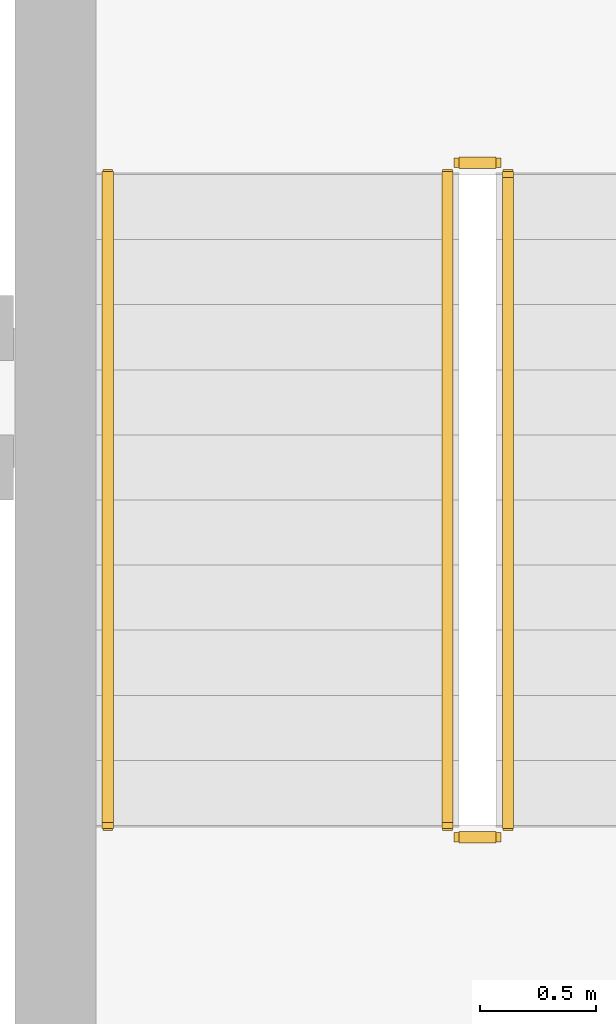
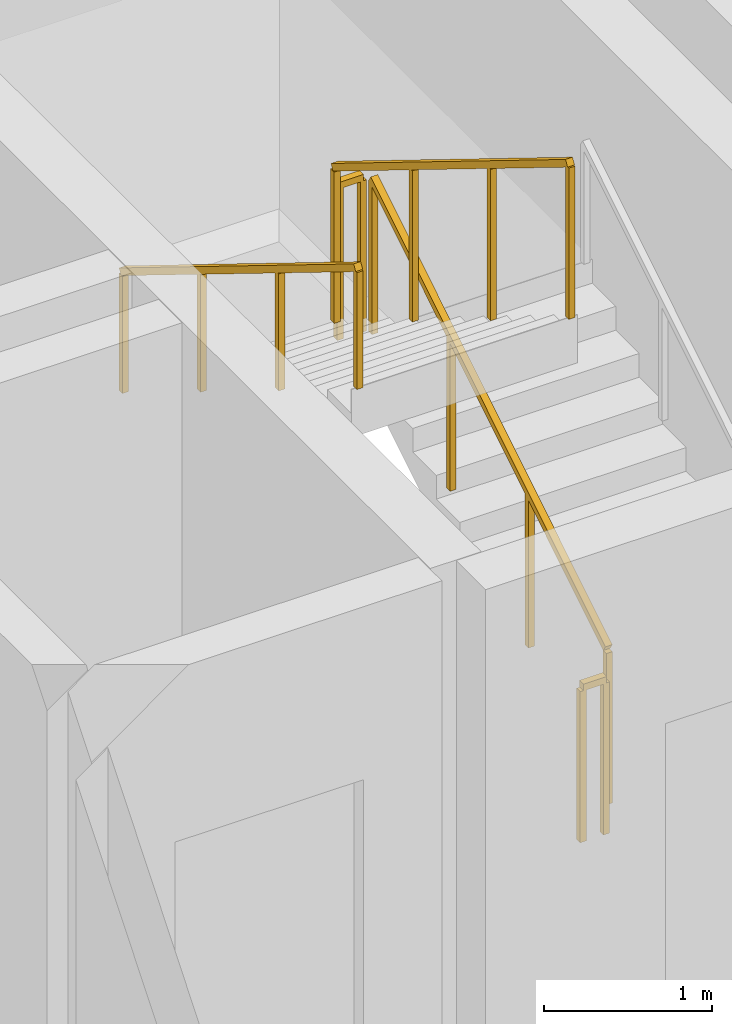
# One storey, part 15 of 16: 5 railings.
"""IFC4 building model written with IfcOpenShell, lengths in metres."""

from ifc_helpers import new_model, si_unit, direction, frame, origin, origin_2d, place, context, subcontext, project, spatial, rectangle, extrude, material, type_object, element, save


model = new_model("IFC4")

# Units and contexts
model_context = context("Model", 3, precision=1e-05, world=origin(), true_north=direction((0.0, 1.0)))
body_context = subcontext(model_context, "Body", "Model", "MODEL_VIEW")
ifc_project = project(units=[si_unit("LENGTHUNIT", "METRE"), si_unit("AREAUNIT", "SQUARE_METRE"), si_unit("VOLUMEUNIT", "CUBIC_METRE"), si_unit("PLANEANGLEUNIT", "RADIAN"), si_unit("MASSUNIT", "GRAM", prefix="KILO")], contexts=[model_context])

# Site, building, storey
site_placement = place(None, origin())
site = spatial("IfcSite", under=ifc_project, at=site_placement, CompositionType="ELEMENT")
building_placement = place(site_placement, origin())
building = spatial("IfcBuilding", under=site, at=building_placement, Name="Kaelvorn Grand Hotel", CompositionType="ELEMENT")
storey_placement = place(building_placement, frame((0.0, 0.0, 135.35009765625)))
storey = spatial("IfcBuildingStorey", under=building, at=storey_placement, Name="L32", CompositionType="ELEMENT", Elevation=135.35009765625)

# Railings
ifc_material = material(Name="Stainless Steel", Category="steel")
railing_type_1 = type_object("IfcRailingType", Name="RL-HANDRAIL-900", PredefinedType="HANDRAIL", material=ifc_material)
railing_1_placement = place(storey_placement, frame((63.3701171875, 44.56005859375, 2.072509765625)))
element("IfcRailing", 1, at=railing_1_placement, inside=storey, type_object=railing_type_1, Name="L32 ST3 stair handrail 2", PredefinedType="HANDRAIL", context=body_context, shape_type="SweptSolid", body=[
    extrude(rectangle(XDim=0.048095703125, YDim=0.048095703125, at=origin_2d()), frame((0.0, 0.0, 0.8759765625), z_axis=(0.0, -0.851089632645, 0.525020415988), x_axis=(1.0, 0.0, 0.0)), (0.0, 0.0, 1.0), 3.2900390625),
    extrude(rectangle(XDim=0.0419921875, YDim=0.0419921875, at=origin_2d()), origin(), (0.0, 0.0, 1.0), 0.851806640625),
    extrude(rectangle(XDim=0.0419921875, YDim=0.0419921875, at=origin_2d()), frame((0.0, -0.933349609375, 0.57568359375)), (0.0, 0.0, 1.0), 0.851806640625),
    extrude(rectangle(XDim=0.0419921875, YDim=0.0419921875, at=origin_2d()), frame((0.0, -1.86669921875, 1.151611328125)), (0.0, 0.0, 1.0), 0.851806640625),
    extrude(rectangle(XDim=0.0419921875, YDim=0.0419921875, at=origin_2d()), frame((0.0, -2.800048828125, 1.727294921875)), (0.0, 0.0, 1.0), 0.851806640625),
])
railing_type_2 = type_object("IfcRailingType", Name="RL-STAIR-GUARD-1150", PredefinedType="BALUSTRADE", material=ifc_material)
railing_2_placement = place(storey_placement, frame((65.090087890625, 41.760009765625, 0.172607421875)))
element("IfcRailing", 2, at=railing_2_placement, inside=storey, type_object=railing_type_2, Name="L32 ST3 stair guard 1", PredefinedType="BALUSTRADE", context=body_context, shape_type="SweptSolid", body=[
    extrude(rectangle(XDim=0.048095703125, YDim=0.048095703125, at=origin_2d()), frame((0.0, 0.0, 1.1259765625), z_axis=(0.0, 0.851089632645, 0.525020415988), x_axis=(-1.0, 0.0, 0.0)), (0.0, 0.0, 1.0), 3.2900390625),
    extrude(rectangle(XDim=0.0419921875, YDim=0.0419921875, at=origin_2d()), origin(), (0.0, 0.0, 1.0), 1.101806640625),
    extrude(rectangle(XDim=0.0419921875, YDim=0.0419921875, at=origin_2d()), frame((0.0, 0.933349609375, 0.57568359375)), (0.0, 0.0, 1.0), 1.101806640625),
    extrude(rectangle(XDim=0.0419921875, YDim=0.0419921875, at=origin_2d()), frame((0.0, 1.86669921875, 1.151611328125)), (0.0, 0.0, 1.0), 1.101806640625),
    extrude(rectangle(XDim=0.0419921875, YDim=0.0419921875, at=origin_2d()), frame((0.0, 2.800048828125, 1.727294921875)), (0.0, 0.0, 1.0), 1.101806640625),
])
railing_3_placement = place(storey_placement, frame((65.0400390625, 44.610107421875, 1.89990234375)))
element("IfcRailing", 3, at=railing_3_placement, inside=storey, type_object=railing_type_2, Name="L32 ST3 stair guard 2", PredefinedType="BALUSTRADE", context=body_context, shape_type="SweptSolid", body=[
    extrude(rectangle(XDim=0.048095703125, YDim=0.048095703125, at=origin_2d()), frame((0.0, 0.0, 1.1259765625), z_axis=(-1.0, 0.0, 0.0), x_axis=(0.0, -1.0, 0.0)), (0.0, 0.0, 1.0), 0.16015625),
    extrude(rectangle(XDim=0.0419921875, YDim=0.0419921875, at=origin_2d()), origin(), (0.0, 0.0, 1.0), 1.101806640625),
    extrude(rectangle(XDim=0.0419921875, YDim=0.0419921875, at=origin_2d()), frame((-0.16015625, 0.0, 0.0)), (0.0, 0.0, 1.0), 1.101806640625),
])
railing_4_placement = place(storey_placement, frame((64.830078125, 44.56005859375, 2.072509765625)))
element("IfcRailing", 4, at=railing_4_placement, inside=storey, type_object=railing_type_2, Name="L32 ST3 stair guard 3", PredefinedType="BALUSTRADE", context=body_context, shape_type="SweptSolid", body=[
    extrude(rectangle(XDim=0.048095703125, YDim=0.048095703125, at=origin_2d()), frame((0.0, 0.0, 1.1259765625), z_axis=(0.0, -0.851089632645, 0.525020415988), x_axis=(1.0, 0.0, 0.0)), (0.0, 0.0, 1.0), 3.2900390625),
    extrude(rectangle(XDim=0.0419921875, YDim=0.0419921875, at=origin_2d()), origin(), (0.0, 0.0, 1.0), 1.101806640625),
    extrude(rectangle(XDim=0.0419921875, YDim=0.0419921875, at=origin_2d()), frame((0.0, -0.933349609375, 0.57568359375)), (0.0, 0.0, 1.0), 1.101806640625),
    extrude(rectangle(XDim=0.0419921875, YDim=0.0419921875, at=origin_2d()), frame((0.0, -1.86669921875, 1.151611328125)), (0.0, 0.0, 1.0), 1.101806640625),
    extrude(rectangle(XDim=0.0419921875, YDim=0.0419921875, at=origin_2d()), frame((0.0, -2.800048828125, 1.727294921875)), (0.0, 0.0, 1.0), 1.101806640625),
])
railing_5_placement = place(storey_placement, frame((65.0400390625, 41.7099609375, 0.0)))
element("IfcRailing", 5, at=railing_5_placement, inside=storey, type_object=railing_type_2, Name="L32 ST3 stair guard 4", PredefinedType="BALUSTRADE", context=body_context, shape_type="SweptSolid", body=[
    extrude(rectangle(XDim=0.048095703125, YDim=0.048095703125, at=origin_2d()), frame((0.0, 0.0, 1.1259765625), z_axis=(-1.0, 0.0, 0.0), x_axis=(0.0, -1.0, 0.0)), (0.0, 0.0, 1.0), 0.16015625),
    extrude(rectangle(XDim=0.0419921875, YDim=0.0419921875, at=origin_2d()), origin(), (0.0, 0.0, 1.0), 1.101806640625),
    extrude(rectangle(XDim=0.0419921875, YDim=0.0419921875, at=origin_2d()), frame((-0.16015625, 0.0, 0.0)), (0.0, 0.0, 1.0), 1.101806640625),
])

save(model, "model.ifc")
